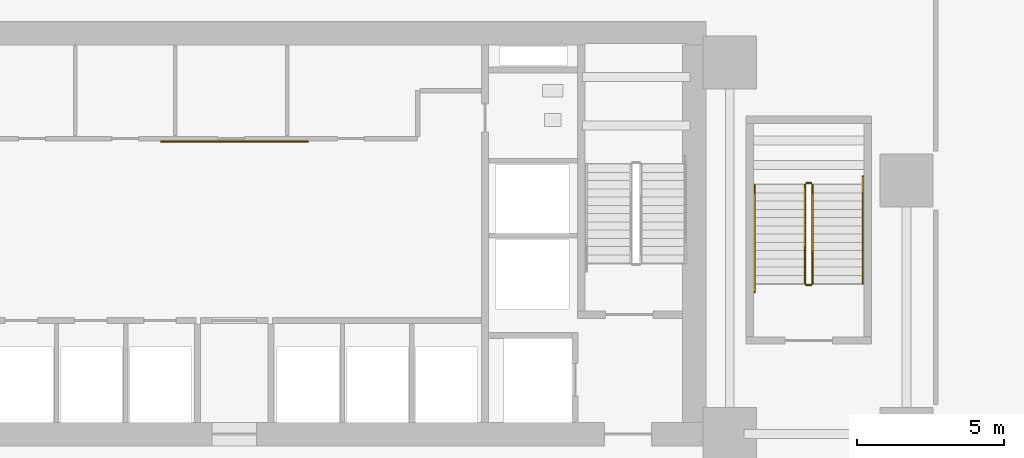
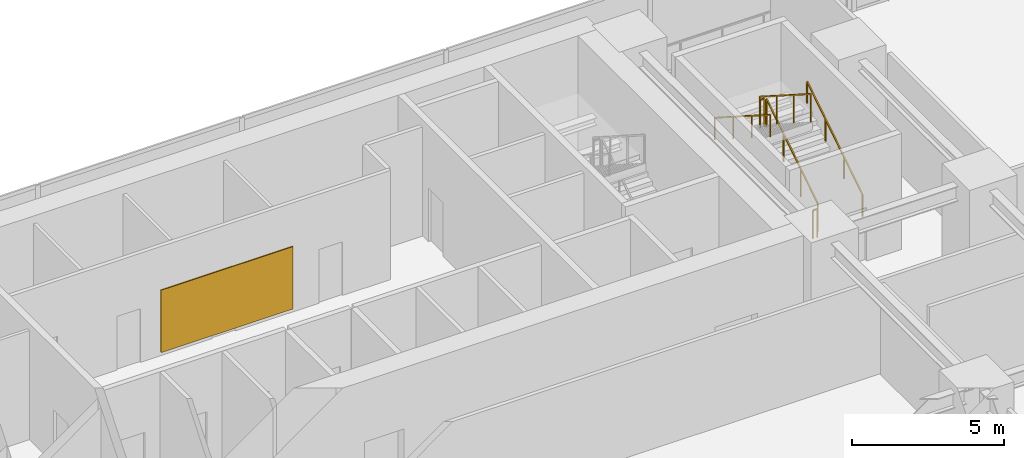
# One storey, part 14 of 17: 6 railings, 1 covering.
"""IFC4 building model written with IfcOpenShell, lengths in metres."""

import ifcopenshell
import ifcopenshell.guid

model = None  # the IFC model being written
_history = None  # IfcOwnerHistory: only IFC2X3 demands one
_inside = {}  # id of a spatial element -> (the spatial element, [elements in it])
_under = {}  # id of a project, library or spatial element -> (it, [spatial elements below it])
_declared = {}  # id of a project -> (the project, [libraries it declares])
_typed = {}  # id of a type object -> (the type object, [elements of that type])
_made_of = {}  # id of a material, layer set ... -> (it, [elements and type objects made of it])


def new_model(schema):
    """Start an empty IFC model of exactly this schema.

    Asked for "IFC4X3", IfcOpenShell would pick the latest addendum, in which some entities
    have other attributes; the version numbers below select the first issue.
    IFC2X3 requires an IfcOwnerHistory on every rooted entity: one is made here for all.
    """
    global model, _history
    if schema == "IFC4X3":
        model = ifcopenshell.file(schema_version=(4, 3, 0, 0))
    else:
        model = ifcopenshell.file(schema=schema)
    _inside.clear()
    _under.clear()
    _declared.clear()
    _typed.clear()
    _made_of.clear()
    _history = None
    if model.schema == "IFC2X3":
        org = make("IfcOrganization", Name="unknown")
        user = make(
            "IfcPersonAndOrganization",
            ThePerson=make("IfcPerson", FamilyName="unknown"),
            TheOrganization=org,
        )
        app = make(
            "IfcApplication",
            ApplicationDeveloper=org,
            Version="unknown",
            ApplicationFullName="unknown",
            ApplicationIdentifier="unknown",
        )
        _history = make(
            "IfcOwnerHistory",
            OwningUser=user,
            OwningApplication=app,
            ChangeAction="ADDED",
            CreationDate=0,
        )
    return model


def make(cls, **values):
    """One entity of the class cls with the attributes given. An attribute that is None is left unset."""
    return model.create_entity(
        cls, **{name: value for name, value in values.items() if value is not None}
    )


def rooted(cls, **values):
    """An entity with a GlobalId (a new one), such as an element, a storey or a relation."""
    return make(cls, GlobalId=ifcopenshell.guid.new(), OwnerHistory=_history, **values)


def si_unit(unit_type, name, prefix=None):
    """IfcSIUnit, for example si_unit("LENGTHUNIT", "METRE", prefix="MILLI")."""
    return make("IfcSIUnit", UnitType=unit_type, Prefix=prefix, Name=name)


def assignment(units):
    """IfcUnitAssignment: the units of a project."""
    return None if units is None else make("IfcUnitAssignment", Units=units)


def point(xyz):
    """IfcCartesianPoint."""
    return None if xyz is None else make("IfcCartesianPoint", Coordinates=xyz)


def direction(xyz):
    """IfcDirection."""
    return None if xyz is None else make("IfcDirection", DirectionRatios=xyz)


def frame(location, z_axis=None, x_axis=None):
    """IfcAxis2Placement3D, a coordinate frame: its origin and axes. An axis left out is left unset."""
    return make(
        "IfcAxis2Placement3D",
        Location=point(location),
        Axis=direction(z_axis),
        RefDirection=direction(x_axis),
    )


def frame_2d(location, x_axis=None):
    """IfcAxis2Placement2D, a coordinate frame in the plane: its origin and x axis."""
    return make(
        "IfcAxis2Placement2D", Location=point(location), RefDirection=direction(x_axis)
    )


def origin():
    """The frame at (0, 0, 0) with its axes left unset."""
    return frame((0.0, 0.0, 0.0))


def origin_2d():
    """The frame at (0, 0) in the plane with its x axis left unset."""
    return frame_2d((0.0, 0.0))


def place(relative_to, where):
    """IfcLocalPlacement: puts the frame where relative to a parent placement (None: the world)."""
    return make(
        "IfcLocalPlacement", PlacementRelTo=relative_to, RelativePlacement=where
    )


def context(
    kind, dimensions, precision=None, world=None, true_north=None, identifier=None
):
    """IfcGeometricRepresentationContext, for example the 3D "Model" context."""
    return make(
        "IfcGeometricRepresentationContext",
        ContextIdentifier=identifier,
        ContextType=kind,
        CoordinateSpaceDimension=dimensions,
        Precision=precision,
        WorldCoordinateSystem=world,
        TrueNorth=true_north,
    )


def subcontext(parent, identifier, kind, view, scale=None):
    """IfcGeometricRepresentationSubContext, for example "Body" below "Model"."""
    return make(
        "IfcGeometricRepresentationSubContext",
        ContextIdentifier=identifier,
        ContextType=kind,
        ParentContext=parent,
        TargetScale=scale,
        TargetView=view,
    )


def project(units=None, contexts=None):
    """IfcProject with its units and contexts."""
    return rooted(
        "IfcProject",
        Name="project",
        RepresentationContexts=contexts,
        UnitsInContext=assignment(units),
    )


def spatial(cls, under=None, at=None, **own):
    """A site, building, storey or space (cls), placed at a placement, below another one or the project."""
    s = rooted(cls, ObjectPlacement=at, **own)
    if under is not None:
        _under.setdefault(under.id(), (under, []))[1].append(s)
    return s


def profile(cls, at=None, kind="AREA", **sizes):
    """A parametric profile (cls). Its sizes go by their IFC names, for example OverallWidth=200.0."""
    return make(cls, ProfileType=kind, Position=at, **sizes)


def rectangle(**sizes):
    """IfcRectangleProfileDef."""
    return profile("IfcRectangleProfileDef", **sizes)


def extrude(swept, where, along, depth):
    """IfcExtrudedAreaSolid: the profile swept, set in the frame where, extruded along a direction by depth."""
    return make(
        "IfcExtrudedAreaSolid",
        SweptArea=swept,
        Position=where,
        ExtrudedDirection=direction(along),
        Depth=depth,
    )


def shape(context_of_items, identifier, shape_type, items):
    """IfcShapeRepresentation: the items that make up one representation, for example the "Body"."""
    return make(
        "IfcShapeRepresentation",
        ContextOfItems=context_of_items,
        RepresentationIdentifier=identifier,
        RepresentationType=shape_type,
        Items=items,
    )


def source(mapping_origin, context_of_items, identifier, shape_type, items):
    """IfcRepresentationMap: a shape defined once, which mapped items show again and again."""
    return make(
        "IfcRepresentationMap",
        MappingOrigin=mapping_origin,
        MappedRepresentation=shape(context_of_items, identifier, shape_type, items),
    )


def transform(
    local_origin,
    x_axis=None,
    y_axis=None,
    z_axis=None,
    scale=None,
    scale2=None,
    scale3=None,
    uniform=True,
):
    """IfcCartesianTransformationOperator3D, or its non-uniform kind. x_axis, y_axis, z_axis: its Axis1, 2, 3."""
    if uniform:
        return make(
            "IfcCartesianTransformationOperator3D",
            Axis1=direction(x_axis),
            Axis2=direction(y_axis),
            LocalOrigin=point(local_origin),
            Scale=scale,
            Axis3=direction(z_axis),
        )
    return make(
        "IfcCartesianTransformationOperator3DnonUniform",
        Axis1=direction(x_axis),
        Axis2=direction(y_axis),
        LocalOrigin=point(local_origin),
        Scale=scale,
        Axis3=direction(z_axis),
        Scale2=scale2,
        Scale3=scale3,
    )


def mapped(mapping_source, mapping_target):
    """IfcMappedItem: shows the shape of a source again, moved by a transform."""
    return make(
        "IfcMappedItem", MappingSource=mapping_source, MappingTarget=mapping_target
    )


def material(Name=None, Category=None):
    """IfcMaterial."""
    return make("IfcMaterial", Name=Name, Category=Category)


def layer(
    of_material, thickness, ventilated=None, Name=None, Category=None, Priority=None
):
    """IfcMaterialLayer: one layer of a wall or slab, of a material (None: an air gap)."""
    return make(
        "IfcMaterialLayer",
        Material=of_material,
        LayerThickness=thickness,
        IsVentilated=ventilated,
        Name=Name,
        Category=Category,
        Priority=Priority,
    )


def layer_set(layers, Name=None):
    """IfcMaterialLayerSet."""
    return make("IfcMaterialLayerSet", MaterialLayers=layers, LayerSetName=Name)


def made_of(thing, what):
    """Note that an element or type object is made of a material, layer set ...; save() writes the relation."""
    if what is not None:
        _made_of.setdefault(what.id(), (what, []))[1].append(thing)
    return thing


def type_object(cls, material=None, **own):
    """A type object (cls), such as IfcWallType, which elements share."""
    return made_of(rooted(cls, **own), material)


def element(
    cls,
    number,
    at=None,
    inside=None,
    cuts=None,
    type_object=None,
    material=None,
    context=None,
    identifier="Body",
    shape_type=None,
    held_by="IfcProductDefinitionShape",
    body=None,
    shapes=None,
    **own,
):
    """One element of the class cls, such as IfcWall. Its Tag is "e" and its number.

    at: its placement. inside: the storey or other place that contains it. cuts: it is an
    opening in that element (IfcRelVoidsElement). A single representation is given by context,
    identifier, shape_type and body (its items); several are given by shapes. held_by: the class
    of the entity that holds the representations. save() writes the other relations.
    """
    e = rooted(cls, Tag="e%d" % number, ObjectPlacement=at, **own)
    if body is not None:
        shapes = [shape(context, identifier, shape_type, body)]
    if shapes is not None:
        e.Representation = make(held_by, Representations=shapes)
    if inside is not None:
        _inside.setdefault(inside.id(), (inside, []))[1].append(e)
    if cuts is not None:
        rooted(
            "IfcRelVoidsElement", RelatingBuildingElement=cuts, RelatedOpeningElement=e
        )
    if type_object is not None:
        _typed.setdefault(type_object.id(), (type_object, []))[1].append(e)
    return made_of(e, material)


def aggregate(whole, parts):
    """IfcRelAggregates: a whole, such as a stair, and the parts it consists of."""
    return rooted("IfcRelAggregates", RelatingObject=whole, RelatedObjects=parts)


def save(model, path):
    """Write the relations noted so far, then the file.

    IfcRelAggregates (storeys below a building ...), IfcRelContainedInSpatialStructure (elements
    in a storey), IfcRelDefinesByType, IfcRelAssociatesMaterial and IfcRelDeclares: one each for
    every whole, place, type object, material and project.
    """
    for whole, parts in _under.values():
        aggregate(whole, parts)
    for where, things in _inside.values():
        rooted(
            "IfcRelContainedInSpatialStructure",
            RelatedElements=things,
            RelatingStructure=where,
        )
    for kind, things in _typed.values():
        rooted("IfcRelDefinesByType", RelatedObjects=things, RelatingType=kind)
    for what, things in _made_of.values():
        rooted("IfcRelAssociatesMaterial", RelatedObjects=things, RelatingMaterial=what)
    for by, libraries in _declared.values():
        rooted("IfcRelDeclares", RelatingContext=by, RelatedDefinitions=libraries)
    model.write(path)


model = new_model("IFC4")

# Units and contexts
model_context = context("Model", 3, precision=1e-05, world=origin(), true_north=direction((0.0, 1.0)))
body_context = subcontext(model_context, "Body", "Model", "MODEL_VIEW")
ifc_project = project(units=[si_unit("LENGTHUNIT", "METRE"), si_unit("AREAUNIT", "SQUARE_METRE"), si_unit("VOLUMEUNIT", "CUBIC_METRE"), si_unit("PLANEANGLEUNIT", "RADIAN"), si_unit("MASSUNIT", "GRAM", prefix="KILO")], contexts=[model_context])

# Site, building, storey
site_placement = place(None, origin())
site = spatial("IfcSite", under=ifc_project, at=site_placement, CompositionType="ELEMENT")
building_placement = place(site_placement, origin())
building = spatial("IfcBuilding", under=site, at=building_placement, Name="Sumidabori Civic Tower", CompositionType="ELEMENT")
storey_placement = place(building_placement, frame((0.0, 0.0, 9.64990234375)))
storey = spatial("IfcBuildingStorey", under=building, at=storey_placement, Name="L02", CompositionType="ELEMENT", Elevation=9.64990234375)

# Railings
ifc_material_1 = material(Name="Stainless Steel Hairline Finish", Category="steel")
railing_type_1 = type_object("IfcRailingType", Name="RL-HANDRAIL", PredefinedType="HANDRAIL", material=ifc_material_1)
railing_1_placement = place(storey_placement, frame((21.31005859375, 15.300048828125, 0.178955078125)))
element("IfcRailing", 1, at=railing_1_placement, inside=storey, type_object=railing_type_1, Name="L02 ST-4 stair handrail 1", PredefinedType="HANDRAIL", context=body_context, shape_type="SweptSolid", body=[
    extrude(rectangle(XDim=0.048095703125, YDim=0.048095703125, at=origin_2d()), frame((0.0, 0.0, 0.8759765625), z_axis=(0.0, 0.842342193388, 0.538943066787), x_axis=(-1.0, 0.0, 0.0)), (0.0, 0.0, 1.0), 4.321044921875),
    extrude(rectangle(XDim=0.0419921875, YDim=0.0419921875, at=origin_2d()), origin(), (0.0, 0.0, 1.0), 0.851806640625),
    extrude(rectangle(XDim=0.0419921875, YDim=0.0419921875, at=origin_2d()), frame((0.0, 1.21337890625, 0.7763671875)), (0.0, 0.0, 1.0), 0.851806640625),
    extrude(rectangle(XDim=0.0419921875, YDim=0.0419921875, at=origin_2d()), frame((0.0, 2.426513671875, 1.552490234375)), (0.0, 0.0, 1.0), 0.851806640625),
    extrude(rectangle(XDim=0.0419921875, YDim=0.0419921875, at=origin_2d()), frame((0.0, 3.639892578125, 2.328857421875)), (0.0, 0.0, 1.0), 0.851806640625),
])
railing_2_placement = place(storey_placement, frame((17.64990234375, 18.659912109375, 2.50390625)))
element("IfcRailing", 2, at=railing_2_placement, inside=storey, type_object=railing_type_1, Name="L02 ST-4 stair handrail 2", PredefinedType="HANDRAIL", context=body_context, shape_type="SweptSolid", body=[
    extrude(rectangle(XDim=0.048095703125, YDim=0.048095703125, at=origin_2d()), frame((0.0, 0.0, 0.8759765625), z_axis=(0.0, -0.842342193388, 0.538943066787), x_axis=(1.0, 0.0, 0.0)), (0.0, 0.0, 1.0), 4.321044921875),
    extrude(rectangle(XDim=0.0419921875, YDim=0.0419921875, at=origin_2d()), origin(), (0.0, 0.0, 1.0), 0.851806640625),
    extrude(rectangle(XDim=0.0419921875, YDim=0.0419921875, at=origin_2d()), frame((0.0, -1.21337890625, 0.7763671875)), (0.0, 0.0, 1.0), 0.851806640625),
    extrude(rectangle(XDim=0.0419921875, YDim=0.0419921875, at=origin_2d()), frame((0.0, -2.426513671875, 1.552490234375)), (0.0, 0.0, 1.0), 0.851806640625),
    extrude(rectangle(XDim=0.0419921875, YDim=0.0419921875, at=origin_2d()), frame((0.0, -3.639892578125, 2.328857421875)), (0.0, 0.0, 1.0), 0.851806640625),
])
ifc_material_2 = material(Name="Steel SN490", Category="steel")
railing_type_2 = type_object("IfcRailingType", Name="RL-STAIR-GUARD", PredefinedType="GUARDRAIL", material=ifc_material_2)
railing_3_placement = place(storey_placement, frame((19.610107421875, 15.300048828125, 0.178955078125)))
element("IfcRailing", 3, at=railing_3_placement, inside=storey, type_object=railing_type_2, Name="L02 ST-4 stair guard 1", PredefinedType="GUARDRAIL", context=body_context, shape_type="SweptSolid", body=[
    extrude(rectangle(XDim=0.048095703125, YDim=0.048095703125, at=origin_2d()), frame((0.0, 0.0, 1.1259765625), z_axis=(0.0, 0.842734844946, 0.538328878209), x_axis=(-1.0, 0.0, 0.0)), (0.0, 0.0, 1.0), 3.98681640625),
    extrude(rectangle(XDim=0.0419921875, YDim=0.0419921875, at=origin_2d()), origin(), (0.0, 0.0, 1.0), 1.101806640625),
    extrude(rectangle(XDim=0.0419921875, YDim=0.0419921875, at=origin_2d()), frame((0.0, 1.119873046875, 0.71533203125)), (0.0, 0.0, 1.0), 1.101806640625),
    extrude(rectangle(XDim=0.0419921875, YDim=0.0419921875, at=origin_2d()), frame((0.0, 2.239990234375, 1.430908203125)), (0.0, 0.0, 1.0), 1.101806640625),
    extrude(rectangle(XDim=0.0419921875, YDim=0.0419921875, at=origin_2d()), frame((0.0, 3.35986328125, 2.146240234375)), (0.0, 0.0, 1.0), 1.101806640625),
])
railing_4_placement = place(storey_placement, frame((19.56005859375, 18.7099609375, 2.3251953125)))
element("IfcRailing", 4, at=railing_4_placement, inside=storey, type_object=railing_type_2, Name="L02 ST-4 stair guard 2", PredefinedType="GUARDRAIL", context=body_context, shape_type="SweptSolid", body=[
    extrude(rectangle(XDim=0.048095703125, YDim=0.048095703125, at=origin_2d()), frame((0.0, 0.0, 1.1259765625), z_axis=(-1.0, 0.0, 0.0), x_axis=(0.0, -1.0, 0.0)), (0.0, 0.0, 1.0), 0.16015625),
    extrude(rectangle(XDim=0.0419921875, YDim=0.0419921875, at=origin_2d()), origin(), (0.0, 0.0, 1.0), 1.101806640625),
    extrude(rectangle(XDim=0.0419921875, YDim=0.0419921875, at=origin_2d()), frame((-0.16015625, 0.0, 0.0)), (0.0, 0.0, 1.0), 1.101806640625),
])
railing_5_placement = place(storey_placement, frame((19.35009765625, 18.659912109375, 2.50390625)))
element("IfcRailing", 5, at=railing_5_placement, inside=storey, type_object=railing_type_2, Name="L02 ST-4 stair guard 3", PredefinedType="GUARDRAIL", context=body_context, shape_type="SweptSolid", body=[
    extrude(rectangle(XDim=0.048095703125, YDim=0.048095703125, at=origin_2d()), frame((0.0, 0.0, 1.1259765625), z_axis=(0.0, -0.842734844946, 0.538328878209), x_axis=(1.0, 0.0, 0.0)), (0.0, 0.0, 1.0), 3.98681640625),
    extrude(rectangle(XDim=0.0419921875, YDim=0.0419921875, at=origin_2d()), origin(), (0.0, 0.0, 1.0), 1.101806640625),
    extrude(rectangle(XDim=0.0419921875, YDim=0.0419921875, at=origin_2d()), frame((0.0, -1.119873046875, 0.71533203125)), (0.0, 0.0, 1.0), 1.101806640625),
    extrude(rectangle(XDim=0.0419921875, YDim=0.0419921875, at=origin_2d()), frame((0.0, -2.239990234375, 1.430908203125)), (0.0, 0.0, 1.0), 1.101806640625),
    extrude(rectangle(XDim=0.0419921875, YDim=0.0419921875, at=origin_2d()), frame((0.0, -3.35986328125, 2.146240234375)), (0.0, 0.0, 1.0), 1.101806640625),
])
railing_6_placement = place(storey_placement, frame((19.56005859375, 15.25, 0.0)))
element("IfcRailing", 6, at=railing_6_placement, inside=storey, type_object=railing_type_2, Name="L02 ST-4 stair guard 4", PredefinedType="GUARDRAIL", context=body_context, shape_type="SweptSolid", body=[
    extrude(rectangle(XDim=0.048095703125, YDim=0.048095703125, at=origin_2d()), frame((0.0, 0.0, 1.1259765625), z_axis=(-1.0, 0.0, 0.0), x_axis=(0.0, -1.0, 0.0)), (0.0, 0.0, 1.0), 0.16015625),
    extrude(rectangle(XDim=0.0419921875, YDim=0.0419921875, at=origin_2d()), origin(), (0.0, 0.0, 1.0), 1.101806640625),
    extrude(rectangle(XDim=0.0419921875, YDim=0.0419921875, at=origin_2d()), frame((-0.16015625, 0.0, 0.0)), (0.0, 0.0, 1.0), 1.101806640625),
])

# Covering
ifc_material_3 = material(Name="Anodised Bronze Aluminium Core Cladding", Category="aluminium")
ifc_layer = layer(ifc_material_3, 0.0400390625, Name="Anodised Bronze Aluminium Core Cladding")
ifc_layer_set = layer_set([ifc_layer], Name="Anodised Bronze Aluminium Core Cladding")
covering_type = type_object("IfcCoveringType", Name="CV-CLAD-BRZ", PredefinedType="CLADDING", material=ifc_layer_set)
shared_shape = source(origin(), body_context, "Body", "SweptSolid", [
    extrude(rectangle(XDim=5.0, YDim=0.0400390625, at=origin_2d()), origin(), (0.0, 0.0, 1.0), 2.5),
])
covering_placement = place(storey_placement, frame((0.0, 20.1201171875, 0.150146484375), z_axis=(0.0, 0.0, 1.0), x_axis=(1.0, 0.0, 0.0)))
element("IfcCovering", 7, at=covering_placement, inside=storey, type_object=covering_type, Name="Bronze Core Lobby Feature Cladding L02", PredefinedType="CLADDING", context=body_context, shape_type="MappedRepresentation", body=[
    mapped(shared_shape, transform((0.0, 0.0, 0.0), x_axis=(1.0, 0.0, 0.0), y_axis=(0.0, 1.0, 0.0), z_axis=(0.0, 0.0, 1.0), scale=1.0)),
])

save(model, "model.ifc")
